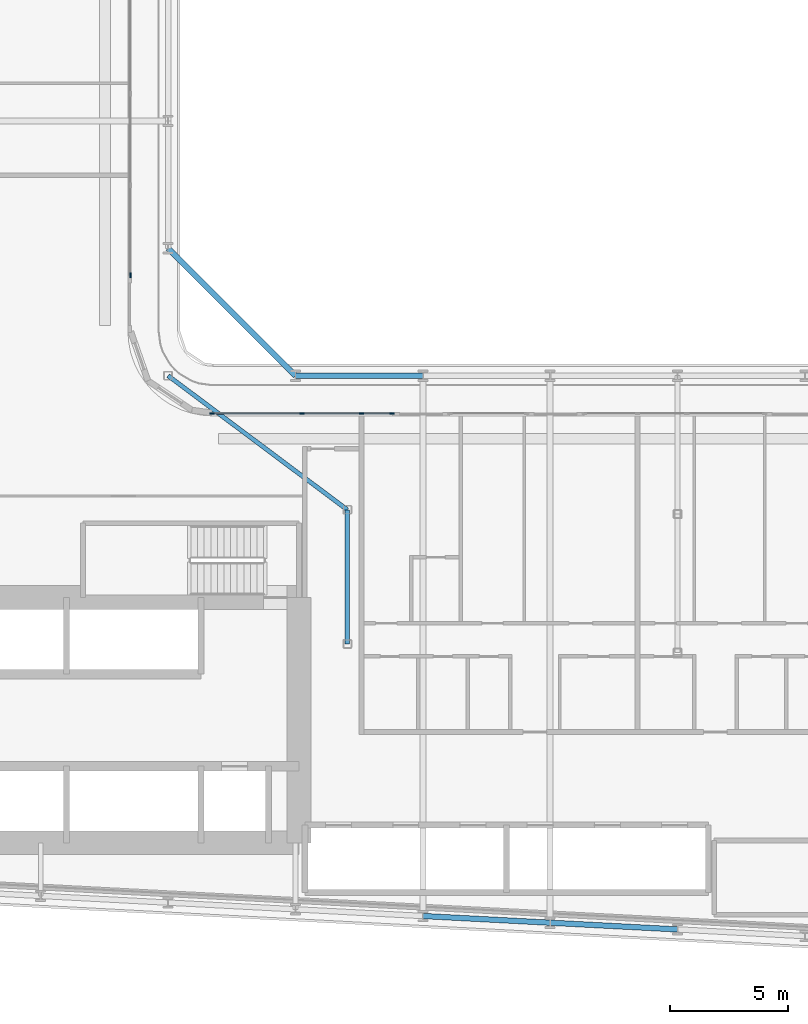
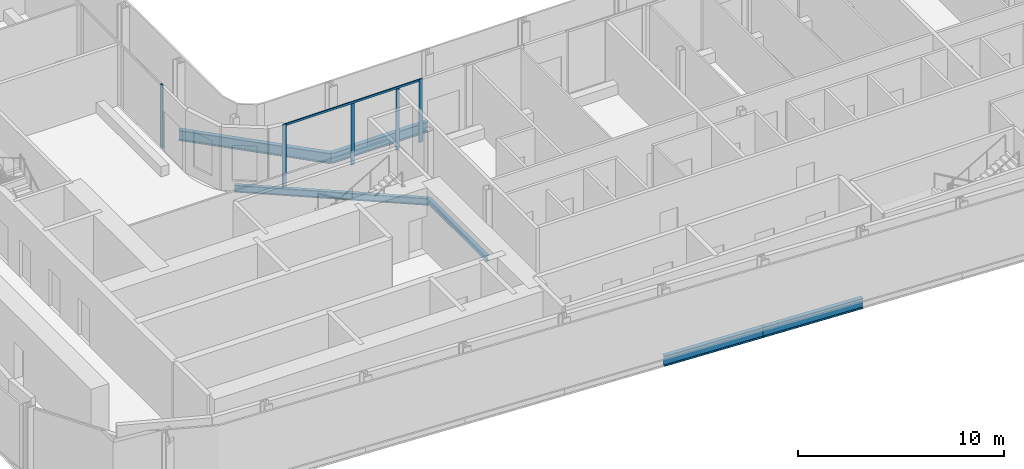
# One storey, part 4 of 28: 6 beams, 6 members, 2 elements without a shape of their own.
"""IFC4 building model written with IfcOpenShell, lengths in metres."""

import ifcopenshell
import ifcopenshell.guid

model = None  # the IFC model being written
_history = None  # IfcOwnerHistory: only IFC2X3 demands one
_inside = {}  # id of a spatial element -> (the spatial element, [elements in it])
_under = {}  # id of a project, library or spatial element -> (it, [spatial elements below it])
_declared = {}  # id of a project -> (the project, [libraries it declares])
_typed = {}  # id of a type object -> (the type object, [elements of that type])
_made_of = {}  # id of a material, layer set ... -> (it, [elements and type objects made of it])


def new_model(schema):
    """Start an empty IFC model of exactly this schema.

    Asked for "IFC4X3", IfcOpenShell would pick the latest addendum, in which some entities
    have other attributes; the version numbers below select the first issue.
    IFC2X3 requires an IfcOwnerHistory on every rooted entity: one is made here for all.
    """
    global model, _history
    if schema == "IFC4X3":
        model = ifcopenshell.file(schema_version=(4, 3, 0, 0))
    else:
        model = ifcopenshell.file(schema=schema)
    _inside.clear()
    _under.clear()
    _declared.clear()
    _typed.clear()
    _made_of.clear()
    _history = None
    if model.schema == "IFC2X3":
        org = make("IfcOrganization", Name="unknown")
        user = make(
            "IfcPersonAndOrganization",
            ThePerson=make("IfcPerson", FamilyName="unknown"),
            TheOrganization=org,
        )
        app = make(
            "IfcApplication",
            ApplicationDeveloper=org,
            Version="unknown",
            ApplicationFullName="unknown",
            ApplicationIdentifier="unknown",
        )
        _history = make(
            "IfcOwnerHistory",
            OwningUser=user,
            OwningApplication=app,
            ChangeAction="ADDED",
            CreationDate=0,
        )
    return model


def make(cls, **values):
    """One entity of the class cls with the attributes given. An attribute that is None is left unset."""
    return model.create_entity(
        cls, **{name: value for name, value in values.items() if value is not None}
    )


def rooted(cls, **values):
    """An entity with a GlobalId (a new one), such as an element, a storey or a relation."""
    return make(cls, GlobalId=ifcopenshell.guid.new(), OwnerHistory=_history, **values)


def si_unit(unit_type, name, prefix=None):
    """IfcSIUnit, for example si_unit("LENGTHUNIT", "METRE", prefix="MILLI")."""
    return make("IfcSIUnit", UnitType=unit_type, Prefix=prefix, Name=name)


def assignment(units):
    """IfcUnitAssignment: the units of a project."""
    return None if units is None else make("IfcUnitAssignment", Units=units)


def point(xyz):
    """IfcCartesianPoint."""
    return None if xyz is None else make("IfcCartesianPoint", Coordinates=xyz)


def direction(xyz):
    """IfcDirection."""
    return None if xyz is None else make("IfcDirection", DirectionRatios=xyz)


def frame(location, z_axis=None, x_axis=None):
    """IfcAxis2Placement3D, a coordinate frame: its origin and axes. An axis left out is left unset."""
    return make(
        "IfcAxis2Placement3D",
        Location=point(location),
        Axis=direction(z_axis),
        RefDirection=direction(x_axis),
    )


def frame_2d(location, x_axis=None):
    """IfcAxis2Placement2D, a coordinate frame in the plane: its origin and x axis."""
    return make(
        "IfcAxis2Placement2D", Location=point(location), RefDirection=direction(x_axis)
    )


def origin():
    """The frame at (0, 0, 0) with its axes left unset."""
    return frame((0.0, 0.0, 0.0))


def origin_2d():
    """The frame at (0, 0) in the plane with its x axis left unset."""
    return frame_2d((0.0, 0.0))


def place(relative_to, where):
    """IfcLocalPlacement: puts the frame where relative to a parent placement (None: the world)."""
    return make(
        "IfcLocalPlacement", PlacementRelTo=relative_to, RelativePlacement=where
    )


def context(
    kind, dimensions, precision=None, world=None, true_north=None, identifier=None
):
    """IfcGeometricRepresentationContext, for example the 3D "Model" context."""
    return make(
        "IfcGeometricRepresentationContext",
        ContextIdentifier=identifier,
        ContextType=kind,
        CoordinateSpaceDimension=dimensions,
        Precision=precision,
        WorldCoordinateSystem=world,
        TrueNorth=true_north,
    )


def subcontext(parent, identifier, kind, view, scale=None):
    """IfcGeometricRepresentationSubContext, for example "Body" below "Model"."""
    return make(
        "IfcGeometricRepresentationSubContext",
        ContextIdentifier=identifier,
        ContextType=kind,
        ParentContext=parent,
        TargetScale=scale,
        TargetView=view,
    )


def project(units=None, contexts=None):
    """IfcProject with its units and contexts."""
    return rooted(
        "IfcProject",
        Name="project",
        RepresentationContexts=contexts,
        UnitsInContext=assignment(units),
    )


def spatial(cls, under=None, at=None, **own):
    """A site, building, storey or space (cls), placed at a placement, below another one or the project."""
    s = rooted(cls, ObjectPlacement=at, **own)
    if under is not None:
        _under.setdefault(under.id(), (under, []))[1].append(s)
    return s


def profile(cls, at=None, kind="AREA", **sizes):
    """A parametric profile (cls). Its sizes go by their IFC names, for example OverallWidth=200.0."""
    return make(cls, ProfileType=kind, Position=at, **sizes)


def rectangle(**sizes):
    """IfcRectangleProfileDef."""
    return profile("IfcRectangleProfileDef", **sizes)


def i_section(**sizes):
    """IfcIShapeProfileDef."""
    return profile("IfcIShapeProfileDef", **sizes)


def extrude(swept, where, along, depth):
    """IfcExtrudedAreaSolid: the profile swept, set in the frame where, extruded along a direction by depth."""
    return make(
        "IfcExtrudedAreaSolid",
        SweptArea=swept,
        Position=where,
        ExtrudedDirection=direction(along),
        Depth=depth,
    )


def shape(context_of_items, identifier, shape_type, items):
    """IfcShapeRepresentation: the items that make up one representation, for example the "Body"."""
    return make(
        "IfcShapeRepresentation",
        ContextOfItems=context_of_items,
        RepresentationIdentifier=identifier,
        RepresentationType=shape_type,
        Items=items,
    )


def material(Name=None, Category=None):
    """IfcMaterial."""
    return make("IfcMaterial", Name=Name, Category=Category)


def layer(
    of_material, thickness, ventilated=None, Name=None, Category=None, Priority=None
):
    """IfcMaterialLayer: one layer of a wall or slab, of a material (None: an air gap)."""
    return make(
        "IfcMaterialLayer",
        Material=of_material,
        LayerThickness=thickness,
        IsVentilated=ventilated,
        Name=Name,
        Category=Category,
        Priority=Priority,
    )


def layer_set(layers, Name=None):
    """IfcMaterialLayerSet."""
    return make("IfcMaterialLayerSet", MaterialLayers=layers, LayerSetName=Name)


def material_profile(
    of_material, cross_section, Name=None, Category=None, Priority=None
):
    """IfcMaterialProfile: a cross section and its material."""
    return make(
        "IfcMaterialProfile",
        Name=Name,
        Material=of_material,
        Profile=cross_section,
        Priority=Priority,
        Category=Category,
    )


def profile_set(profiles, Name=None, composite=None):
    """IfcMaterialProfileSet."""
    return make(
        "IfcMaterialProfileSet",
        Name=Name,
        MaterialProfiles=profiles,
        CompositeProfile=composite,
    )


def made_of(thing, what):
    """Note that an element or type object is made of a material, layer set ...; save() writes the relation."""
    if what is not None:
        _made_of.setdefault(what.id(), (what, []))[1].append(thing)
    return thing


def type_object(cls, material=None, **own):
    """A type object (cls), such as IfcWallType, which elements share."""
    return made_of(rooted(cls, **own), material)


def element(
    cls,
    number,
    at=None,
    inside=None,
    cuts=None,
    type_object=None,
    material=None,
    context=None,
    identifier="Body",
    shape_type=None,
    held_by="IfcProductDefinitionShape",
    body=None,
    shapes=None,
    **own,
):
    """One element of the class cls, such as IfcWall. Its Tag is "e" and its number.

    at: its placement. inside: the storey or other place that contains it. cuts: it is an
    opening in that element (IfcRelVoidsElement). A single representation is given by context,
    identifier, shape_type and body (its items); several are given by shapes. held_by: the class
    of the entity that holds the representations. save() writes the other relations.
    """
    e = rooted(cls, Tag="e%d" % number, ObjectPlacement=at, **own)
    if body is not None:
        shapes = [shape(context, identifier, shape_type, body)]
    if shapes is not None:
        e.Representation = make(held_by, Representations=shapes)
    if inside is not None:
        _inside.setdefault(inside.id(), (inside, []))[1].append(e)
    if cuts is not None:
        rooted(
            "IfcRelVoidsElement", RelatingBuildingElement=cuts, RelatedOpeningElement=e
        )
    if type_object is not None:
        _typed.setdefault(type_object.id(), (type_object, []))[1].append(e)
    return made_of(e, material)


def aggregate(whole, parts):
    """IfcRelAggregates: a whole, such as a stair, and the parts it consists of."""
    return rooted("IfcRelAggregates", RelatingObject=whole, RelatedObjects=parts)


def save(model, path):
    """Write the relations noted so far, then the file.

    IfcRelAggregates (storeys below a building ...), IfcRelContainedInSpatialStructure (elements
    in a storey), IfcRelDefinesByType, IfcRelAssociatesMaterial and IfcRelDeclares: one each for
    every whole, place, type object, material and project.
    """
    for whole, parts in _under.values():
        aggregate(whole, parts)
    for where, things in _inside.values():
        rooted(
            "IfcRelContainedInSpatialStructure",
            RelatedElements=things,
            RelatingStructure=where,
        )
    for kind, things in _typed.values():
        rooted("IfcRelDefinesByType", RelatedObjects=things, RelatingType=kind)
    for what, things in _made_of.values():
        rooted("IfcRelAssociatesMaterial", RelatedObjects=things, RelatingMaterial=what)
    for by, libraries in _declared.values():
        rooted("IfcRelDeclares", RelatingContext=by, RelatedDefinitions=libraries)
    model.write(path)


model = new_model("IFC4")

# Units and contexts
model_context = context("Model", 3, precision=1e-05, world=origin(), true_north=direction((0.0, 1.0)))
body_context = subcontext(model_context, "Body", "Model", "MODEL_VIEW")
ifc_project = project(units=[si_unit("LENGTHUNIT", "METRE"), si_unit("AREAUNIT", "SQUARE_METRE"), si_unit("VOLUMEUNIT", "CUBIC_METRE"), si_unit("PLANEANGLEUNIT", "RADIAN"), si_unit("MASSUNIT", "GRAM", prefix="KILO")], contexts=[model_context])

# Site, building, storey
site_placement = place(None, origin())
site = spatial("IfcSite", under=ifc_project, at=site_placement, CompositionType="ELEMENT")
building_placement = place(site_placement, origin())
building = spatial("IfcBuilding", under=site, at=building_placement, Name="Kheshtan School and Residences Tower", CompositionType="ELEMENT")
storey_placement = place(building_placement, frame((0.0, 0.0, 77.300048828125)))
storey = spatial("IfcBuildingStorey", under=building, at=storey_placement, Name="L18", CompositionType="ELEMENT", Elevation=77.300048828125)

# Beams
ifc_material_1 = material(Name="Steel ASTM A992 Grade 50", Category="steel")
ifc_material_profile_1 = material_profile(ifc_material_1, i_section(OverallWidth=0.202880859375, OverallDepth=0.302978515625, WebThickness=0.007568359375, FlangeThickness=0.01318359375, FilletRadius=0.009033203125, at=origin_2d()), Name="W310x60")
ifc_profile_set_1 = profile_set([ifc_material_profile_1], Name="Steel ASTM A992 Grade 50")
beam_type_1 = type_object("IfcBeamType", Name="Beam FB1 W310x60 ASTM A992 Grade 50", PredefinedType="BEAM", material=ifc_profile_set_1)
beam_1_placement = place(storey_placement, frame((55.199951171875, 34.23193359375, -0.301513671875), z_axis=(0.0, 1.0, 0.0), x_axis=(-1.0, 0.0, 0.0)))
element("IfcBeam", 1, at=beam_1_placement, inside=storey, type_object=beam_type_1, Name="Floor beam IC", PredefinedType="BEAM", context=body_context, shape_type="SweptSolid", body=[
    extrude(i_section(OverallWidth=0.202880859375, OverallDepth=0.302978515625, WebThickness=0.007568359375, FlangeThickness=0.01318359375, FilletRadius=0.009033203125, at=origin_2d()), origin(), (0.0, 0.0, 1.0), 5.68408203125),
])
ifc_material_profile_2 = material_profile(ifc_material_1, i_section(OverallWidth=0.180908203125, OverallDepth=0.4169921875, WebThickness=0.010986328125, FlangeThickness=0.018310546875, FilletRadius=0.012451171875, at=origin_2d()), Name="W410x85")
ifc_profile_set_2 = profile_set([ifc_material_profile_2], Name="Steel ASTM A992 Grade 50")
beam_type_2 = type_object("IfcBeamType", Name="Beam FB3 W410x85 ASTM A992 Grade 50", PredefinedType="BEAM", material=ifc_profile_set_2)
beam_2_placement = place(storey_placement, frame((47.60009765625, 45.60009765625, -0.358642578125), z_axis=(0.800798828004, -0.598933416222, 0.0), x_axis=(0.598933416222, 0.800798828004, 0.0)))
element("IfcBeam", 2, at=beam_2_placement, inside=storey, type_object=beam_type_2, Name="Floor beam IC", PredefinedType="BEAM", context=body_context, shape_type="SweptSolid", body=[
    extrude(i_section(OverallWidth=0.180908203125, OverallDepth=0.4169921875, WebThickness=0.010986328125, FlangeThickness=0.018310546875, FilletRadius=0.012451171875, at=origin_2d()), origin(), (0.0, 0.0, 1.0), 9.490234375),
])
ifc_material_profile_3 = material_profile(ifc_material_1, i_section(OverallWidth=0.22998046875, OverallDepth=0.616943359375, WebThickness=0.01318359375, FlangeThickness=0.022216796875, FilletRadius=0.0185546875, at=origin_2d()), Name="W610x140")
ifc_profile_set_3 = profile_set([ifc_material_profile_3], Name="Steel ASTM A992 Grade 50")
beam_type_3 = type_object("IfcBeamType", Name="Beam SP1 W610x140 ASTM A992 Grade 50", PredefinedType="BEAM", material=ifc_profile_set_3)
beam_3_placement = place(storey_placement, frame((47.60009765625, 51.0, -0.45849609375), z_axis=(0.707106781187, -0.707106781187, 0.0), x_axis=(0.707106781187, 0.707106781187, 0.0)))
element("IfcBeam", 3, at=beam_3_placement, inside=storey, type_object=beam_type_3, Name="Spandrel beam C079-C061", PredefinedType="BEAM", context=body_context, shape_type="SweptSolid", body=[
    extrude(i_section(OverallWidth=0.22998046875, OverallDepth=0.616943359375, WebThickness=0.01318359375, FlangeThickness=0.022216796875, FilletRadius=0.0185546875, at=origin_2d()), origin(), (0.0, 0.0, 1.0), 7.63671875),
])
beam_4_placement = place(storey_placement, frame((53.0, 45.60009765625, -0.45849609375), z_axis=(1.0, 0.0, 0.0), x_axis=(0.0, 1.0, 0.0)))
element("IfcBeam", 4, at=beam_4_placement, inside=storey, type_object=beam_type_3, Name="Spandrel beam C061-C062", PredefinedType="BEAM", context=body_context, shape_type="SweptSolid", body=[
    extrude(i_section(OverallWidth=0.22998046875, OverallDepth=0.616943359375, WebThickness=0.01318359375, FlangeThickness=0.022216796875, FilletRadius=0.0185546875, at=origin_2d()), origin(), (0.0, 0.0, 1.0), 5.39990234375),
])
beam_5_placement = place(storey_placement, frame((69.199951171875, 22.126953125, -0.45849609375), z_axis=(-0.998620447272, 0.05250906864, 0.0), x_axis=(-0.05250906864, -0.998620447272, 0.0)))
element("IfcBeam", 5, at=beam_5_placement, inside=storey, type_object=beam_type_3, Name="Spandrel beam C014-C016", PredefinedType="BEAM", context=body_context, shape_type="SweptSolid", body=[
    extrude(i_section(OverallWidth=0.22998046875, OverallDepth=0.616943359375, WebThickness=0.01318359375, FlangeThickness=0.022216796875, FilletRadius=0.0185546875, at=origin_2d()), origin(), (0.0, 0.0, 1.0), 5.407470703125),
])
beam_6_placement = place(storey_placement, frame((63.800048828125, 22.410888671875, -0.45849609375), z_axis=(-0.998618203458, 0.052551724256, 0.0), x_axis=(-0.052551724256, -0.998618203458, 0.0)))
element("IfcBeam", 6, at=beam_6_placement, inside=storey, type_object=beam_type_3, Name="Spandrel beam C016-C018", PredefinedType="BEAM", context=body_context, shape_type="SweptSolid", body=[
    extrude(i_section(OverallWidth=0.22998046875, OverallDepth=0.616943359375, WebThickness=0.01318359375, FlangeThickness=0.022216796875, FilletRadius=0.0185546875, at=origin_2d()), origin(), (0.0, 0.0, 1.0), 5.40771484375),
])

# Curtain wall, member
ifc_material_2 = material(Name="Clear low-e glass in thermally broken aluminium frame", Category="aluminium")
ifc_layer = layer(ifc_material_2, 0.199951171875)
ifc_layer_set = layer_set([ifc_layer], Name="Curtain wall CW-L")
curtain_wall_type = type_object("IfcCurtainWallType", Name="Curtain wall CW-L", PredefinedType="NOTDEFINED", material=ifc_layer_set)
curtain_wall_1_placement = place(storey_placement, origin())
curtain_wall_1 = element("IfcCurtainWall", 7, at=curtain_wall_1_placement, inside=storey, type_object=curtain_wall_type, Name="Curtain wall CWL8", PredefinedType="NOTDEFINED")
ifc_material_3 = material(Name="Thermally broken aluminium, dark bronze anodised", Category="aluminium")
ifc_material_profile_4 = material_profile(ifc_material_3, rectangle(XDim=0.06005859375, YDim=0.199951171875, at=origin_2d()), Name="CW-L mullion 60x200")
ifc_profile_set_4 = profile_set([ifc_material_profile_4], Name="Thermally broken aluminium, dark bronze anodised")
member_type_1 = type_object("IfcMemberType", Name="CW-L mullion 60x200", PredefinedType="MULLION", material=ifc_profile_set_4)
member_1_placement = place(storey_placement, frame((46.0, 49.860107421875, 0.0), z_axis=(0.0, 0.0, 1.0), x_axis=(1.0, 0.0, 0.0)))
member_1 = element("IfcMember", 8, at=member_1_placement, type_object=member_type_1, Name="CWL8 mullion 3", PredefinedType="MULLION", context=body_context, shape_type="SweptSolid", body=[
    extrude(rectangle(XDim=0.06005859375, YDim=0.199951171875, at=origin_2d()), origin(), (0.0, 0.0, 1.0), 3.75),
])
aggregate(curtain_wall_1, [member_1])

# Curtain wall, members
curtain_wall_2_placement = place(storey_placement, origin())
curtain_wall_2 = element("IfcCurtainWall", 9, at=curtain_wall_2_placement, inside=storey, type_object=curtain_wall_type, Name="Curtain wall CWL12k", PredefinedType="NOTDEFINED")
member_2_placement = place(storey_placement, frame((49.4599609375, 44.0, 0.0), z_axis=(0.0, 0.0, 1.0), x_axis=(0.0, 1.0, 0.0)))
member_2 = element("IfcMember", 10, at=member_2_placement, type_object=member_type_1, Name="CWL12k mullion 1", PredefinedType="MULLION", context=body_context, shape_type="SweptSolid", body=[
    extrude(rectangle(XDim=0.06005859375, YDim=0.199951171875, at=origin_2d()), origin(), (0.0, 0.0, 1.0), 3.75),
])
member_3_placement = place(storey_placement, frame((53.277099609375, 44.0, 0.0), z_axis=(0.0, 0.0, 1.0), x_axis=(0.0, 1.0, 0.0)))
member_3 = element("IfcMember", 11, at=member_3_placement, type_object=member_type_1, Name="CWL12k mullion 2", PredefinedType="MULLION", context=body_context, shape_type="SweptSolid", body=[
    extrude(rectangle(XDim=0.06005859375, YDim=0.199951171875, at=origin_2d()), origin(), (0.0, 0.0, 1.0), 3.6298828125),
])
member_4_placement = place(storey_placement, frame((55.800048828125, 44.0, 0.0), z_axis=(0.0, 0.0, 1.0), x_axis=(0.0, 1.0, 0.0)))
member_4 = element("IfcMember", 12, at=member_4_placement, type_object=member_type_1, Name="CWL12k mullion 3", PredefinedType="MULLION", context=body_context, shape_type="SweptSolid", body=[
    extrude(rectangle(XDim=0.06005859375, YDim=0.199951171875, at=origin_2d()), origin(), (0.0, 0.0, 1.0), 3.6298828125),
])
member_5_placement = place(storey_placement, frame((57.093994140625, 44.0, 0.0), z_axis=(0.0, 0.0, 1.0), x_axis=(0.0, 1.0, 0.0)))
member_5 = element("IfcMember", 13, at=member_5_placement, type_object=member_type_1, Name="CWL12k mullion 4", PredefinedType="MULLION", context=body_context, shape_type="SweptSolid", body=[
    extrude(rectangle(XDim=0.06005859375, YDim=0.199951171875, at=origin_2d()), origin(), (0.0, 0.0, 1.0), 3.75),
])
ifc_material_profile_5 = material_profile(ifc_material_3, rectangle(XDim=0.06005859375, YDim=0.1201171875, at=origin_2d()), Name="CW-L transom 60x120")
ifc_profile_set_5 = profile_set([ifc_material_profile_5], Name="Thermally broken aluminium, dark bronze anodised")
member_type_2 = type_object("IfcMemberType", Name="CW-L transom 60x120", PredefinedType="USERDEFINED", material=ifc_profile_set_5)
member_6_placement = place(storey_placement, frame((49.489990234375, 44.0, 3.68994140625), z_axis=(1.0, 0.0, 0.0), x_axis=(0.0, 1.0, 0.0)))
member_6 = element("IfcMember", 14, at=member_6_placement, type_object=member_type_2, Name="CWL12k transom 1", ObjectType="TRANSOM", PredefinedType="USERDEFINED", context=body_context, shape_type="SweptSolid", body=[
    extrude(rectangle(XDim=0.06005859375, YDim=0.1201171875, at=origin_2d()), origin(), (0.0, 0.0, 1.0), 7.573974609375),
])
aggregate(curtain_wall_2, [member_2, member_3, member_4, member_5, member_6])

save(model, "model.ifc")
